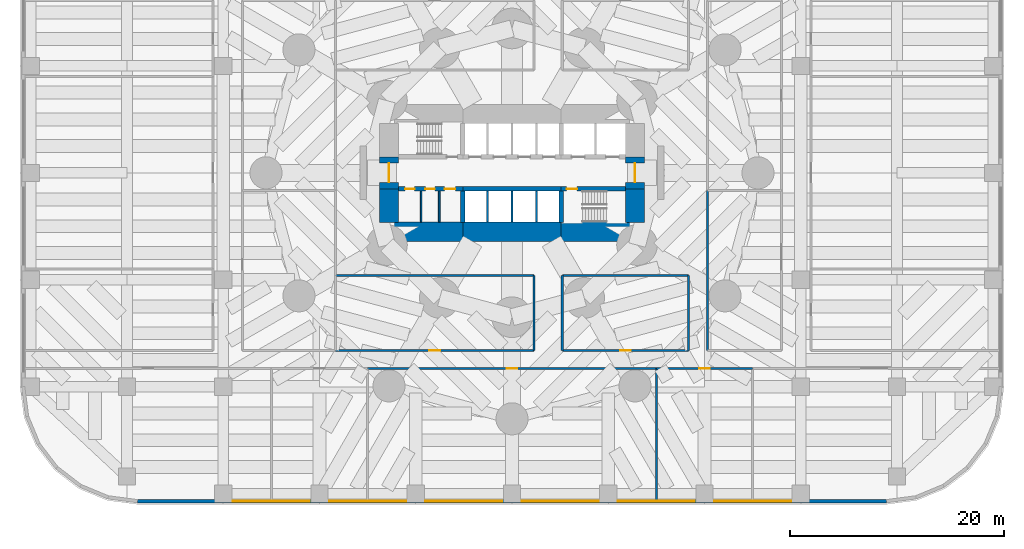
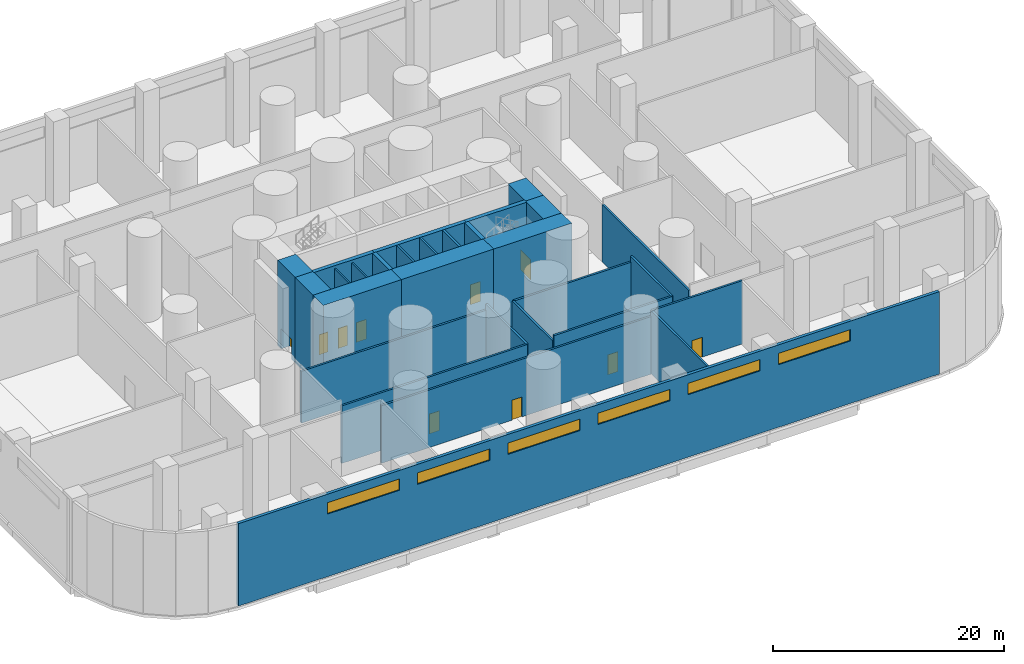
# One storey, part 8 of 13: 29 walls, 10 doors, 6 windows, 16 openings.
"""IFC4 building model written with IfcOpenShell, lengths in metres."""

from ifc_helpers import new_model, si_unit, direction, frame, frame_2d, origin, place, context, subcontext, project, spatial, rectangle, extrude, material, layer, layer_set, type_object, element, fill, save


model = new_model("IFC4")

# Units and contexts
model_context = context("Model", 3, precision=1e-05, world=origin(), true_north=direction((0.0, 1.0)))
body_context = subcontext(model_context, "Body", "Model", "MODEL_VIEW")
ifc_project = project(units=[si_unit("LENGTHUNIT", "METRE"), si_unit("AREAUNIT", "SQUARE_METRE"), si_unit("VOLUMEUNIT", "CUBIC_METRE"), si_unit("PLANEANGLEUNIT", "RADIAN"), si_unit("MASSUNIT", "GRAM", prefix="KILO")], contexts=[model_context])

# Site, building, storey
site_placement = place(None, origin())
site = spatial("IfcSite", under=ifc_project, at=site_placement, CompositionType="ELEMENT")
building_placement = place(site_placement, origin())
building = spatial("IfcBuilding", under=site, at=building_placement, Name="Qaws Media Tower", CompositionType="ELEMENT")
storey_placement = place(building_placement, frame((0.0, 0.0, 6.0)))
storey = spatial("IfcBuildingStorey", under=building, at=storey_placement, Name="L01", CompositionType="ELEMENT", Elevation=6.0)

# Wall, openings, doors
ifc_material_1 = material(Name="Concrete C60/75", Category="concrete")
ifc_layer_1 = layer(ifc_material_1, 0.39990234375)
ifc_layer_set_1 = layer_set([ifc_layer_1], Name="Core inner wall 400")
wall_type_1 = type_object("IfcWallType", Name="Core inner wall 400", PredefinedType="SHEAR", material=ifc_layer_set_1)
wall_1_placement = place(storey_placement, frame((49.3798828125, 48.5, 0.0), z_axis=(0.0, 0.0, 1.0), x_axis=(1.0, 0.0, 0.0)))
wall_1 = element("IfcWall", 1, at=wall_1_placement, inside=storey, type_object=wall_type_1, Name="W310 SW4 core wall SPSW L01", PredefinedType="SHEAR", context=body_context, shape_type="SweptSolid", body=[
    extrude(rectangle(XDim=6.02001953125, YDim=0.39990234375, at=frame_2d((3.010009765625, 0.0))), origin(), (0.0, 0.0, 1.0), 9.0),
])
opening_1_placement = place(wall_1_placement, frame((0.6201171875, 0.0, 0.0)))
opening_1 = element("IfcOpeningElement", 2, at=opening_1_placement, cuts=wall_1, Name="Opening D3", PredefinedType="OPENING", context=body_context, shape_type="SweptSolid", body=[
    extrude(rectangle(XDim=0.89990234375, YDim=2.10009765625, at=frame_2d((0.449951171875, 1.050048828125))), frame((0.0, 0.2099609375, 0.0), z_axis=(0.0, -1.0, 0.0), x_axis=(1.0, 0.0, 0.0)), (0.0, 0.0, 1.0), 0.419921875),
])
opening_2_placement = place(wall_1_placement, frame((2.52001953125, 0.0, 0.0)))
opening_2 = element("IfcOpeningElement", 3, at=opening_2_placement, cuts=wall_1, Name="Opening D3", PredefinedType="OPENING", context=body_context, shape_type="SweptSolid", body=[
    extrude(rectangle(XDim=0.89990234375, YDim=2.10009765625, at=frame_2d((0.449951171875, 1.050048828125))), frame((0.0, 0.2099609375, 0.0), z_axis=(0.0, -1.0, 0.0), x_axis=(1.0, 0.0, 0.0)), (0.0, 0.0, 1.0), 0.419921875),
])
opening_3_placement = place(wall_1_placement, frame((4.320068359375, 0.0, 0.0)))
opening_3 = element("IfcOpeningElement", 4, at=opening_3_placement, cuts=wall_1, Name="Opening D4", PredefinedType="OPENING", context=body_context, shape_type="SweptSolid", body=[
    extrude(rectangle(XDim=1.0, YDim=2.10009765625, at=frame_2d((0.5, 1.050048828125))), frame((0.0, 0.2099609375, 0.0), z_axis=(0.0, -1.0, 0.0), x_axis=(1.0, 0.0, 0.0)), (0.0, 0.0, 1.0), 0.419921875),
])
ifc_material_2 = material(Name="Timber veneered", Category="wood")
door_type_1 = type_object("IfcDoorType", Name="Accessible WC door 1000", OperationType="SLIDING_TO_LEFT", PredefinedType="DOOR", material=ifc_material_2)
door_1_placement = place(opening_3_placement, origin())
door_1 = element("IfcDoor", 5, at=door_1_placement, inside=storey, type_object=door_type_1, Name="D4 toilet door 3 L01 in wall W310", OperationType="SLIDING_TO_LEFT", OverallHeight=2.10009765625, OverallWidth=1.0, PredefinedType="DOOR", context=body_context, shape_type="SweptSolid", body=[
    extrude(rectangle(XDim=1.0, YDim=2.10009765625, at=frame_2d((0.5, 1.050048828125))), frame((0.0, 0.02490234375, 0.0), z_axis=(0.0, -1.0, 0.0), x_axis=(1.0, 0.0, 0.0)), (0.0, 0.0, 1.0), 0.050048828125),
])
fill(opening_3, door_1)
ifc_material_3 = material(Name="Timber veneered", Category="wood")
door_type_2 = type_object("IfcDoorType", Name="Toilet door 900", OperationType="SINGLE_SWING_RIGHT", PredefinedType="DOOR", material=ifc_material_3)
door_2_placement = place(opening_1_placement, origin())
door_2 = element("IfcDoor", 6, at=door_2_placement, inside=storey, type_object=door_type_2, Name="D3 toilet door 1 L01 in wall W310", OperationType="SINGLE_SWING_RIGHT", OverallHeight=2.10009765625, OverallWidth=0.89990234375, PredefinedType="DOOR", context=body_context, shape_type="SweptSolid", body=[
    extrude(rectangle(XDim=0.89990234375, YDim=2.10009765625, at=frame_2d((0.449951171875, 1.050048828125))), frame((0.0, 0.02490234375, 0.0), z_axis=(0.0, -1.0, 0.0), x_axis=(1.0, 0.0, 0.0)), (0.0, 0.0, 1.0), 0.050048828125),
])
fill(opening_1, door_2)
door_3_placement = place(opening_2_placement, origin())
door_3 = element("IfcDoor", 7, at=door_3_placement, inside=storey, type_object=door_type_2, Name="D3 toilet door 2 L01 in wall W310", OperationType="SINGLE_SWING_RIGHT", OverallHeight=2.10009765625, OverallWidth=0.89990234375, PredefinedType="DOOR", context=body_context, shape_type="SweptSolid", body=[
    extrude(rectangle(XDim=0.89990234375, YDim=2.10009765625, at=frame_2d((0.449951171875, 1.050048828125))), frame((0.0, 0.02490234375, 0.0), z_axis=(0.0, -1.0, 0.0), x_axis=(1.0, 0.0, 0.0)), (0.0, 0.0, 1.0), 0.050048828125),
])
fill(opening_2, door_3)

# Wall
wall_2_placement = place(storey_placement, frame((55.39990234375, 48.5, 0.0), z_axis=(0.0, 0.0, 1.0), x_axis=(1.0, 0.0, 0.0)))
element("IfcWall", 8, at=wall_2_placement, inside=storey, type_object=wall_type_1, Name="W313 SW4 core wall SPS L01", PredefinedType="SHEAR", context=body_context, shape_type="SweptSolid", body=[
    extrude(rectangle(XDim=9.2001953125, YDim=0.39990234375, at=frame_2d((4.60009765625, 0.0))), origin(), (0.0, 0.0, 1.0), 9.0),
])

# Wall, opening, door
wall_3_placement = place(storey_placement, frame((64.60009765625, 48.5, 0.0), z_axis=(0.0, 0.0, 1.0), x_axis=(1.0, 0.0, 0.0)))
wall_3 = element("IfcWall", 9, at=wall_3_placement, inside=storey, type_object=wall_type_1, Name="W317 SW4 core wall SPSE L01", PredefinedType="SHEAR", context=body_context, shape_type="SweptSolid", body=[
    extrude(rectangle(XDim=6.02001953125, YDim=0.39990234375, at=frame_2d((3.010009765625, 0.0))), origin(), (0.0, 0.0, 1.0), 9.0),
])
opening_4_placement = place(wall_3_placement, frame((0.5, 0.0, 0.0)))
opening_4 = element("IfcOpeningElement", 10, at=opening_4_placement, cuts=wall_3, Name="Opening D1", PredefinedType="OPENING", context=body_context, shape_type="SweptSolid", body=[
    extrude(rectangle(XDim=1.0, YDim=2.10009765625, at=frame_2d((0.5, 1.050048828125))), frame((0.0, 0.2099609375, 0.0), z_axis=(0.0, -1.0, 0.0), x_axis=(1.0, 0.0, 0.0)), (0.0, 0.0, 1.0), 0.419921875),
])
ifc_material_4 = material(Name="Steel, fire rated", Category="steel")
door_type_3 = type_object("IfcDoorType", Name="Stair door 1000 FD120", OperationType="SINGLE_SWING_LEFT", PredefinedType="DOOR", material=ifc_material_4)
door_4_placement = place(opening_4_placement, origin())
door_4 = element("IfcDoor", 11, at=door_4_placement, inside=storey, type_object=door_type_3, Name="D1 stair S2 door L01 in wall W317", OperationType="SINGLE_SWING_LEFT", OverallHeight=2.10009765625, OverallWidth=1.0, PredefinedType="DOOR", context=body_context, shape_type="SweptSolid", body=[
    extrude(rectangle(XDim=1.0, YDim=2.10009765625, at=frame_2d((0.5, 1.050048828125))), frame((0.0, 0.02490234375, 0.0), z_axis=(0.0, -1.0, 0.0), x_axis=(1.0, 0.0, 0.0)), (0.0, 0.0, 1.0), 0.050048828125),
])
fill(opening_4, door_4)

# Walls
for number, where, z_axis, x_axis, name in (
    (12, (55.39990234375, 48.320068359375, 0.0), (0.0, 0.0, 1.0), (0.0, -1.0, 0.0), "W312 SW4 core wall XSW L01"),
    (13, (64.60009765625, 48.320068359375, 0.0), (0.0, 0.0, 1.0), (0.0, -1.0, 0.0), "W316 SW4 core wall XSE L01"),
):
    element("IfcWall", number, at=place(storey_placement, frame(where, z_axis=z_axis, x_axis=x_axis)), inside=storey, type_object=wall_type_1, Name=name, PredefinedType="SHEAR", context=body_context, shape_type="SweptSolid", body=[
        extrude(rectangle(XDim=2.940185546875, YDim=0.39990234375, at=frame_2d((1.47021484375, 0.0))), origin(), (0.0, 0.0, 1.0), 9.0),
    ])
ifc_material_5 = material(Name="Concrete C60/75", Category="concrete")
ifc_layer_2 = layer(ifc_material_5, 1.800048828125)
ifc_layer_set_2 = layer_set([ifc_layer_2], Name="Core wall 1800")
wall_type_2 = type_object("IfcWallType", Name="Core wall 1800", PredefinedType="SHEAR", material=ifc_layer_set_2)
wall_4_placement = place(storey_placement, frame((47.60009765625, 44.5, 0.0), z_axis=(0.0, 0.0, 1.0), x_axis=(1.0, 0.0, 0.0)))
element("IfcWall", 14, at=wall_4_placement, inside=storey, type_object=wall_type_2, Name="W398 SW11 core wall SW L01", PredefinedType="SHEAR", context=body_context, shape_type="SweptSolid", body=[
    extrude(rectangle(XDim=7.7998046875, YDim=1.800048828125, at=frame_2d((3.89990234375, 0.0))), origin(), (0.0, 0.0, 1.0), 9.0),
])
wall_5_placement = place(storey_placement, frame((55.39990234375, 44.5, 0.0), z_axis=(0.0, 0.0, 1.0), x_axis=(1.0, 0.0, 0.0)))
element("IfcWall", 15, at=wall_5_placement, inside=storey, type_object=wall_type_2, Name="W403 SW11 core wall S L01", PredefinedType="SHEAR", context=body_context, shape_type="SweptSolid", body=[
    extrude(rectangle(XDim=9.2001953125, YDim=1.800048828125, at=frame_2d((4.60009765625, 0.0))), origin(), (0.0, 0.0, 1.0), 9.0),
])
wall_6_placement = place(storey_placement, frame((64.60009765625, 44.5, 0.0), z_axis=(0.0, 0.0, 1.0), x_axis=(1.0, 0.0, 0.0)))
element("IfcWall", 16, at=wall_6_placement, inside=storey, type_object=wall_type_2, Name="W405 SW11 core wall SE L01", PredefinedType="SHEAR", context=body_context, shape_type="SweptSolid", body=[
    extrude(rectangle(XDim=7.7998046875, YDim=1.800048828125, at=frame_2d((3.89990234375, 0.0))), origin(), (0.0, 0.0, 1.0), 9.0),
])
wall_7_placement = place(storey_placement, frame((71.5, 45.3798828125, 0.0), z_axis=(0.0, 0.0, 1.0), x_axis=(0.0, 1.0, 0.0)))
element("IfcWall", 17, at=wall_7_placement, inside=storey, type_object=wall_type_2, Name="W407 SW11 core wall ES L01", PredefinedType="SHEAR", context=body_context, shape_type="SweptSolid", body=[
    extrude(rectangle(XDim=3.1201171875, YDim=1.800048828125, at=frame_2d((1.56005859375, 0.0))), origin(), (0.0, 0.0, 1.0), 9.0),
])

# Wall, opening, door
wall_8_placement = place(storey_placement, frame((71.5, 48.5, 0.0), z_axis=(0.0, 0.0, 1.0), x_axis=(0.0, 1.0, 0.0)))
wall_8 = element("IfcWall", 18, at=wall_8_placement, inside=storey, type_object=wall_type_2, Name="W408 SW11 core wall E L01", PredefinedType="SHEAR", context=body_context, shape_type="SweptSolid", body=[
    extrude(rectangle(XDim=3.0, YDim=1.800048828125, at=frame_2d((1.5, 0.0))), origin(), (0.0, 0.0, 1.0), 9.0),
])
opening_5_placement = place(wall_8_placement, frame((0.60009765625, 0.0, 0.0)))
opening_5 = element("IfcOpeningElement", 19, at=opening_5_placement, cuts=wall_8, Name="Opening D2", PredefinedType="OPENING", context=body_context, shape_type="SweptSolid", body=[
    extrude(rectangle(XDim=1.800048828125, YDim=2.10009765625, at=frame_2d((0.89990234375, 1.050048828125))), frame((0.0, 0.909912109375, 0.0), z_axis=(0.0, -1.0, 0.0), x_axis=(1.0, 0.0, 0.0)), (0.0, 0.0, 1.0), 1.820068359375),
])
ifc_material_6 = material(Name="Steel and glass, fire rated", Category="steel")
door_type_4 = type_object("IfcDoorType", Name="Lobby door pair 1800 FD60", OperationType="DOUBLE_DOOR_DOUBLE_SWING", PredefinedType="DOOR", material=ifc_material_6)
door_5_placement = place(opening_5_placement, origin())
door_5 = element("IfcDoor", 20, at=door_5_placement, inside=storey, type_object=door_type_4, Name="D2 core lobby door E L01 in wall W408", OperationType="DOUBLE_DOOR_DOUBLE_SWING", OverallHeight=2.10009765625, OverallWidth=1.800048828125, PredefinedType="DOOR", context=body_context, shape_type="SweptSolid", body=[
    extrude(rectangle(XDim=1.800048828125, YDim=2.10009765625, at=frame_2d((0.89990234375, 1.050048828125))), frame((0.0, 0.02490234375, 0.0), z_axis=(0.0, -1.0, 0.0), x_axis=(1.0, 0.0, 0.0)), (0.0, 0.0, 1.0), 0.050048828125),
])
fill(opening_5, door_5)

# Wall
wall_9_placement = place(storey_placement, frame((48.5, 45.3798828125, 0.0), z_axis=(0.0, 0.0, 1.0), x_axis=(0.0, 1.0, 0.0)))
element("IfcWall", 21, at=wall_9_placement, inside=storey, type_object=wall_type_2, Name="W400 SW11 core wall WS L01", PredefinedType="SHEAR", context=body_context, shape_type="SweptSolid", body=[
    extrude(rectangle(XDim=3.1201171875, YDim=1.800048828125, at=frame_2d((1.56005859375, 0.0))), origin(), (0.0, 0.0, 1.0), 9.0),
])

# Wall, opening, door
wall_10_placement = place(storey_placement, frame((48.5, 48.5, 0.0), z_axis=(0.0, 0.0, 1.0), x_axis=(0.0, 1.0, 0.0)))
wall_10 = element("IfcWall", 22, at=wall_10_placement, inside=storey, type_object=wall_type_2, Name="W401 SW11 core wall W L01", PredefinedType="SHEAR", context=body_context, shape_type="SweptSolid", body=[
    extrude(rectangle(XDim=3.0, YDim=1.800048828125, at=frame_2d((1.5, 0.0))), origin(), (0.0, 0.0, 1.0), 9.0),
])
opening_6_placement = place(wall_10_placement, frame((0.60009765625, 0.0, 0.0)))
opening_6 = element("IfcOpeningElement", 23, at=opening_6_placement, cuts=wall_10, Name="Opening D2", PredefinedType="OPENING", context=body_context, shape_type="SweptSolid", body=[
    extrude(rectangle(XDim=1.800048828125, YDim=2.10009765625, at=frame_2d((0.89990234375, 1.050048828125))), frame((0.0, 0.909912109375, 0.0), z_axis=(0.0, -1.0, 0.0), x_axis=(1.0, 0.0, 0.0)), (0.0, 0.0, 1.0), 1.820068359375),
])
door_6_placement = place(opening_6_placement, origin())
door_6 = element("IfcDoor", 24, at=door_6_placement, inside=storey, type_object=door_type_4, Name="D2 core lobby door W L01 in wall W401", OperationType="DOUBLE_DOOR_DOUBLE_SWING", OverallHeight=2.10009765625, OverallWidth=1.800048828125, PredefinedType="DOOR", context=body_context, shape_type="SweptSolid", body=[
    extrude(rectangle(XDim=1.800048828125, YDim=2.10009765625, at=frame_2d((0.89990234375, 1.050048828125))), frame((0.0, 0.02490234375, 0.0), z_axis=(0.0, -1.0, 0.0), x_axis=(1.0, 0.0, 0.0)), (0.0, 0.0, 1.0), 0.050048828125),
])
fill(opening_6, door_6)

# Wall, openings, windows
ifc_material_7 = material(Name="Precast concrete, exposed finish", Category="concrete")
ifc_layer_3 = layer(ifc_material_7, 0.300048828125)
ifc_layer_set_3 = layer_set([ifc_layer_3], Name="Podium facade wall 300")
wall_type_3 = type_object("IfcWallType", Name="Podium facade wall 300", PredefinedType="SOLIDWALL", material=ifc_layer_set_3)
wall_11_placement = place(storey_placement, frame((25.0, 19.300048828125, 0.0), z_axis=(0.0, 0.0, 1.0), x_axis=(1.0, 0.0, 0.0)))
wall_11 = element("IfcWall", 25, at=wall_11_placement, inside=storey, type_object=wall_type_3, Name="W794 EW2 podium wall L01-28", PredefinedType="SOLIDWALL", context=body_context, shape_type="SweptSolid", body=[
    extrude(rectangle(XDim=70.0, YDim=0.300048828125, at=frame_2d((35.0, 0.0))), origin(), (0.0, 0.0, 1.0), 8.699951171875),
])
opening_7_placement = place(wall_11_placement, frame((8.89990234375, 0.0, 6.60009765625)))
opening_7 = element("IfcOpeningElement", 26, at=opening_7_placement, cuts=wall_11, Name="Opening W4", PredefinedType="OPENING", context=body_context, shape_type="SweptSolid", body=[
    extrude(rectangle(XDim=7.199951171875, YDim=1.199951171875, at=frame_2d((3.60009765625, 0.60009765625))), frame((0.0, 0.159912109375, 0.0), z_axis=(0.0, -1.0, 0.0), x_axis=(1.0, 0.0, 0.0)), (0.0, 0.0, 1.0), 0.320068359375),
])
opening_8_placement = place(wall_11_placement, frame((17.89990234375, 0.0, 6.60009765625)))
opening_8 = element("IfcOpeningElement", 27, at=opening_8_placement, cuts=wall_11, Name="Opening W4", PredefinedType="OPENING", context=body_context, shape_type="SweptSolid", body=[
    extrude(rectangle(XDim=7.199951171875, YDim=1.199951171875, at=frame_2d((3.60009765625, 0.60009765625))), frame((0.0, 0.159912109375, 0.0), z_axis=(0.0, -1.0, 0.0), x_axis=(1.0, 0.0, 0.0)), (0.0, 0.0, 1.0), 0.320068359375),
])
opening_9_placement = place(wall_11_placement, frame((26.89990234375, 0.0, 6.60009765625)))
opening_9 = element("IfcOpeningElement", 28, at=opening_9_placement, cuts=wall_11, Name="Opening W4", PredefinedType="OPENING", context=body_context, shape_type="SweptSolid", body=[
    extrude(rectangle(XDim=7.199951171875, YDim=1.199951171875, at=frame_2d((3.60009765625, 0.60009765625))), frame((0.0, 0.159912109375, 0.0), z_axis=(0.0, -1.0, 0.0), x_axis=(1.0, 0.0, 0.0)), (0.0, 0.0, 1.0), 0.320068359375),
])
opening_10_placement = place(wall_11_placement, frame((35.89990234375, 0.0, 6.60009765625)))
opening_10 = element("IfcOpeningElement", 29, at=opening_10_placement, cuts=wall_11, Name="Opening W4", PredefinedType="OPENING", context=body_context, shape_type="SweptSolid", body=[
    extrude(rectangle(XDim=7.199951171875, YDim=1.199951171875, at=frame_2d((3.60009765625, 0.60009765625))), frame((0.0, 0.159912109375, 0.0), z_axis=(0.0, -1.0, 0.0), x_axis=(1.0, 0.0, 0.0)), (0.0, 0.0, 1.0), 0.320068359375),
])
opening_11_placement = place(wall_11_placement, frame((44.89990234375, 0.0, 6.60009765625)))
opening_11 = element("IfcOpeningElement", 30, at=opening_11_placement, cuts=wall_11, Name="Opening W4", PredefinedType="OPENING", context=body_context, shape_type="SweptSolid", body=[
    extrude(rectangle(XDim=7.199951171875, YDim=1.199951171875, at=frame_2d((3.60009765625, 0.60009765625))), frame((0.0, 0.159912109375, 0.0), z_axis=(0.0, -1.0, 0.0), x_axis=(1.0, 0.0, 0.0)), (0.0, 0.0, 1.0), 0.320068359375),
])
opening_12_placement = place(wall_11_placement, frame((53.89990234375, 0.0, 6.60009765625)))
opening_12 = element("IfcOpeningElement", 31, at=opening_12_placement, cuts=wall_11, Name="Opening W4", PredefinedType="OPENING", context=body_context, shape_type="SweptSolid", body=[
    extrude(rectangle(XDim=7.199951171875, YDim=1.199951171875, at=frame_2d((3.60009765625, 0.60009765625))), frame((0.0, 0.159912109375, 0.0), z_axis=(0.0, -1.0, 0.0), x_axis=(1.0, 0.0, 0.0)), (0.0, 0.0, 1.0), 0.320068359375),
])
ifc_material_8 = material(Name="Aluminium and clear glass", Category="aluminium")
window_type = type_object("IfcWindowType", Name="Clerestory window 7200x1200", PartitioningType="TRIPLE_PANEL_HORIZONTAL", PredefinedType="WINDOW", material=ifc_material_8)
window_1_placement = place(opening_7_placement, origin())
window_1 = element("IfcWindow", 32, at=window_1_placement, inside=storey, type_object=window_type, Name="W4 window L01 bay 3", OverallHeight=1.199951171875, OverallWidth=7.199951171875, PartitioningType="SINGLE_PANEL", PredefinedType="WINDOW", context=body_context, shape_type="SweptSolid", body=[
    extrude(rectangle(XDim=7.199951171875, YDim=1.199951171875, at=frame_2d((3.60009765625, 0.60009765625))), frame((0.0, 0.030029296875, 0.0), z_axis=(0.0, -1.0, 0.0), x_axis=(1.0, 0.0, 0.0)), (0.0, 0.0, 1.0), 0.06005859375),
])
fill(opening_7, window_1)
window_2_placement = place(opening_8_placement, origin())
window_2 = element("IfcWindow", 33, at=window_2_placement, inside=storey, type_object=window_type, Name="W4 window L01 bay 4", OverallHeight=1.199951171875, OverallWidth=7.199951171875, PartitioningType="SINGLE_PANEL", PredefinedType="WINDOW", context=body_context, shape_type="SweptSolid", body=[
    extrude(rectangle(XDim=7.199951171875, YDim=1.199951171875, at=frame_2d((3.60009765625, 0.60009765625))), frame((0.0, 0.030029296875, 0.0), z_axis=(0.0, -1.0, 0.0), x_axis=(1.0, 0.0, 0.0)), (0.0, 0.0, 1.0), 0.06005859375),
])
fill(opening_8, window_2)
window_3_placement = place(opening_9_placement, origin())
window_3 = element("IfcWindow", 34, at=window_3_placement, inside=storey, type_object=window_type, Name="W4 window L01 bay 5", OverallHeight=1.199951171875, OverallWidth=7.199951171875, PartitioningType="SINGLE_PANEL", PredefinedType="WINDOW", context=body_context, shape_type="SweptSolid", body=[
    extrude(rectangle(XDim=7.199951171875, YDim=1.199951171875, at=frame_2d((3.60009765625, 0.60009765625))), frame((0.0, 0.030029296875, 0.0), z_axis=(0.0, -1.0, 0.0), x_axis=(1.0, 0.0, 0.0)), (0.0, 0.0, 1.0), 0.06005859375),
])
fill(opening_9, window_3)
window_4_placement = place(opening_10_placement, origin())
window_4 = element("IfcWindow", 35, at=window_4_placement, inside=storey, type_object=window_type, Name="W4 window L01 bay 6", OverallHeight=1.199951171875, OverallWidth=7.199951171875, PartitioningType="SINGLE_PANEL", PredefinedType="WINDOW", context=body_context, shape_type="SweptSolid", body=[
    extrude(rectangle(XDim=7.199951171875, YDim=1.199951171875, at=frame_2d((3.60009765625, 0.60009765625))), frame((0.0, 0.030029296875, 0.0), z_axis=(0.0, -1.0, 0.0), x_axis=(1.0, 0.0, 0.0)), (0.0, 0.0, 1.0), 0.06005859375),
])
fill(opening_10, window_4)
window_5_placement = place(opening_11_placement, origin())
window_5 = element("IfcWindow", 36, at=window_5_placement, inside=storey, type_object=window_type, Name="W4 window L01 bay 7", OverallHeight=1.199951171875, OverallWidth=7.199951171875, PartitioningType="SINGLE_PANEL", PredefinedType="WINDOW", context=body_context, shape_type="SweptSolid", body=[
    extrude(rectangle(XDim=7.199951171875, YDim=1.199951171875, at=frame_2d((3.60009765625, 0.60009765625))), frame((0.0, 0.030029296875, 0.0), z_axis=(0.0, -1.0, 0.0), x_axis=(1.0, 0.0, 0.0)), (0.0, 0.0, 1.0), 0.06005859375),
])
fill(opening_11, window_5)
window_6_placement = place(opening_12_placement, origin())
window_6 = element("IfcWindow", 37, at=window_6_placement, inside=storey, type_object=window_type, Name="W4 window L01 bay 8", OverallHeight=1.199951171875, OverallWidth=7.199951171875, PartitioningType="SINGLE_PANEL", PredefinedType="WINDOW", context=body_context, shape_type="SweptSolid", body=[
    extrude(rectangle(XDim=7.199951171875, YDim=1.199951171875, at=frame_2d((3.60009765625, 0.60009765625))), frame((0.0, 0.030029296875, 0.0), z_axis=(0.0, -1.0, 0.0), x_axis=(1.0, 0.0, 0.0)), (0.0, 0.0, 1.0), 0.06005859375),
])
fill(opening_12, window_6)

# Walls
ifc_material_9 = material(Name="Gypsum board on galvanised metal studs, acoustic double stud, deflection head", Category="gypsum")
ifc_layer_4 = layer(ifc_material_9, 0.199951171875)
ifc_layer_set_4 = layer_set([ifc_layer_4], Name="Room partition 200")
wall_type_4 = type_object("IfcWallType", Name="Room partition 200", PredefinedType="PARTITIONING", material=ifc_layer_set_4)
wall_12_placement = place(storey_placement, frame((62.050048828125, 33.39990234375, 0.0), z_axis=(0.0, 0.0, 1.0), x_axis=(0.0, 1.0, 0.0)))
element("IfcWall", 38, at=wall_12_placement, inside=storey, type_object=wall_type_4, Name="W824 IW3 partition L01", PredefinedType="PARTITIONING", context=body_context, shape_type="SweptSolid", body=[
    extrude(rectangle(XDim=7.0, YDim=0.199951171875, at=frame_2d((3.5, 0.0))), origin(), (0.0, 0.0, 1.0), 6.080078125),
])
wall_13_placement = place(storey_placement, frame((64.699951171875, 33.39990234375, 0.0), z_axis=(0.0, 0.0, 1.0), x_axis=(0.0, 1.0, 0.0)))
element("IfcWall", 39, at=wall_13_placement, inside=storey, type_object=wall_type_4, Name="W826 IW3 partition L01", PredefinedType="PARTITIONING", context=body_context, shape_type="SweptSolid", body=[
    extrude(rectangle(XDim=7.0, YDim=0.199951171875, at=frame_2d((3.5, 0.0))), origin(), (0.0, 0.0, 1.0), 5.47998046875),
])
wall_14_placement = place(storey_placement, frame((73.5, 19.455078125, 0.0), z_axis=(0.0, 0.0, 1.0), x_axis=(0.0, 1.0, 0.0)))
element("IfcWall", 40, at=wall_14_placement, inside=storey, type_object=wall_type_4, Name="W906 IW3 partition L01", PredefinedType="PARTITIONING", context=body_context, shape_type="SweptSolid", body=[
    extrude(rectangle(XDim=12.244873046875, YDim=0.199951171875, at=frame_2d((6.12255859375, 0.0))), origin(), (0.0, 0.0, 1.0), 6.679931640625),
])
wall_15_placement = place(storey_placement, frame((76.5, 33.39990234375, 0.0), z_axis=(0.0, 0.0, 1.0), x_axis=(0.0, 1.0, 0.0)))
element("IfcWall", 41, at=wall_15_placement, inside=storey, type_object=wall_type_4, Name="W833 IW3 partition L01", PredefinedType="PARTITIONING", context=body_context, shape_type="SweptSolid", body=[
    extrude(rectangle(XDim=7.0, YDim=0.199951171875, at=frame_2d((3.5, 0.0))), origin(), (0.0, 0.0, 1.0), 6.080078125),
])
wall_16_placement = place(storey_placement, frame((78.27001953125, 33.39990234375, 0.0), z_axis=(0.0, 0.0, 1.0), x_axis=(0.0, 1.0, 0.0)))
element("IfcWall", 42, at=wall_16_placement, inside=storey, type_object=wall_type_4, Name="W907 IW3 partition L01", PredefinedType="PARTITIONING", context=body_context, shape_type="SweptSolid", body=[
    extrude(rectangle(XDim=14.9501953125, YDim=0.199951171875, at=frame_2d((7.47509765625, 0.0))), origin(), (0.0, 0.0, 1.0), 6.080078125),
])

# Wall, opening, door
wall_17_placement = place(storey_placement, frame((46.5, 31.699951171875, 0.0), z_axis=(0.0, 0.0, 1.0), x_axis=(1.0, 0.0, 0.0)))
wall_17 = element("IfcWall", 43, at=wall_17_placement, inside=storey, type_object=wall_type_4, Name="W904 IW3 partition L01", PredefinedType="PARTITIONING", context=body_context, shape_type="SweptSolid", body=[
    extrude(rectangle(XDim=27.0, YDim=0.199951171875, at=frame_2d((13.5, 0.0))), origin(), (0.0, 0.0, 1.0), 6.080078125),
])
opening_13_placement = place(wall_17_placement, frame((13.0, 0.0, 0.0)))
opening_13 = element("IfcOpeningElement", 44, at=opening_13_placement, cuts=wall_17, Name="Opening D5", PredefinedType="OPENING", context=body_context, shape_type="SweptSolid", body=[
    extrude(rectangle(XDim=1.0, YDim=2.10009765625, at=frame_2d((0.5, 1.050048828125))), frame((0.0, 0.10986328125, 0.0), z_axis=(0.0, -1.0, 0.0), x_axis=(1.0, 0.0, 0.0)), (0.0, 0.0, 1.0), 0.219970703125),
])
ifc_material_10 = material(Name="Timber veneered, acoustic seal", Category="wood")
door_type_5 = type_object("IfcDoorType", Name="Room door 1000", OperationType="SINGLE_SWING_LEFT", PredefinedType="DOOR", material=ifc_material_10)
door_7_placement = place(opening_13_placement, origin())
door_7 = element("IfcDoor", 45, at=door_7_placement, inside=storey, type_object=door_type_5, Name="D5 Studio management office door in wall W904", OperationType="SINGLE_SWING_LEFT", OverallHeight=2.10009765625, OverallWidth=1.0, PredefinedType="DOOR", context=body_context, shape_type="SweptSolid", body=[
    extrude(rectangle(XDim=1.0, YDim=2.10009765625, at=frame_2d((0.5, 1.050048828125))), frame((0.0, 0.02490234375, 0.0), z_axis=(0.0, -1.0, 0.0), x_axis=(1.0, 0.0, 0.0)), (0.0, 0.0, 1.0), 0.050048828125),
])
fill(opening_13, door_7)

wall_18_placement = place(storey_placement, frame((73.5, 31.699951171875, 0.0), z_axis=(0.0, 0.0, 1.0), x_axis=(1.0, 0.0, 0.0)))
wall_18 = element("IfcWall", 46, at=wall_18_placement, inside=storey, type_object=wall_type_4, Name="W872 IW3 partition L01", PredefinedType="PARTITIONING", context=body_context, shape_type="SweptSolid", body=[
    extrude(rectangle(XDim=9.0, YDim=0.199951171875, at=frame_2d((4.5, 0.0))), origin(), (0.0, 0.0, 1.0), 6.679931640625),
])
opening_14_placement = place(wall_18_placement, frame((4.0, 0.0, 0.0)))
opening_14 = element("IfcOpeningElement", 47, at=opening_14_placement, cuts=wall_18, Name="Opening D5", PredefinedType="OPENING", context=body_context, shape_type="SweptSolid", body=[
    extrude(rectangle(XDim=1.0, YDim=2.10009765625, at=frame_2d((0.5, 1.050048828125))), frame((0.0, 0.10986328125, 0.0), z_axis=(0.0, -1.0, 0.0), x_axis=(1.0, 0.0, 0.0)), (0.0, 0.0, 1.0), 0.219970703125),
])
door_8_placement = place(opening_14_placement, origin())
door_8 = element("IfcDoor", 48, at=door_8_placement, inside=storey, type_object=door_type_5, Name="D5 Costume workroom door in wall W872", OperationType="SINGLE_SWING_LEFT", OverallHeight=2.10009765625, OverallWidth=1.0, PredefinedType="DOOR", context=body_context, shape_type="SweptSolid", body=[
    extrude(rectangle(XDim=1.0, YDim=2.10009765625, at=frame_2d((0.5, 1.050048828125))), frame((0.0, 0.02490234375, 0.0), z_axis=(0.0, -1.0, 0.0), x_axis=(1.0, 0.0, 0.0)), (0.0, 0.0, 1.0), 0.050048828125),
])
fill(opening_14, door_8)

wall_19_placement = place(storey_placement, frame((43.5, 33.39990234375, 0.0), z_axis=(0.0, 0.0, 1.0), x_axis=(1.0, 0.0, 0.0)))
wall_19 = element("IfcWall", 49, at=wall_19_placement, inside=storey, type_object=wall_type_4, Name="W818 IW3 partition L01", PredefinedType="PARTITIONING", context=body_context, shape_type="SweptSolid", body=[
    extrude(rectangle(XDim=18.550048828125, YDim=0.199951171875, at=frame_2d((9.27490234375, 0.0))), origin(), (0.0, 0.0, 1.0), 6.080078125),
])
opening_15_placement = place(wall_19_placement, frame((8.77490234375, 0.0, 0.0)))
opening_15 = element("IfcOpeningElement", 50, at=opening_15_placement, cuts=wall_19, Name="Opening D5", PredefinedType="OPENING", context=body_context, shape_type="SweptSolid", body=[
    extrude(rectangle(XDim=1.0, YDim=2.10009765625, at=frame_2d((0.5, 1.050048828125))), frame((0.0, 0.10986328125, 0.0), z_axis=(0.0, -1.0, 0.0), x_axis=(1.0, 0.0, 0.0)), (0.0, 0.0, 1.0), 0.219970703125),
])
door_9_placement = place(opening_15_placement, origin())
door_9 = element("IfcDoor", 51, at=door_9_placement, inside=storey, type_object=door_type_5, Name="D5 Production office door in wall W818", OperationType="SINGLE_SWING_LEFT", OverallHeight=2.10009765625, OverallWidth=1.0, PredefinedType="DOOR", context=body_context, shape_type="SweptSolid", body=[
    extrude(rectangle(XDim=1.0, YDim=2.10009765625, at=frame_2d((0.5, 1.050048828125))), frame((0.0, 0.02490234375, 0.0), z_axis=(0.0, -1.0, 0.0), x_axis=(1.0, 0.0, 0.0)), (0.0, 0.0, 1.0), 0.050048828125),
])
fill(opening_15, door_9)

wall_20_placement = place(storey_placement, frame((64.699951171875, 33.39990234375, 0.0), z_axis=(0.0, 0.0, 1.0), x_axis=(1.0, 0.0, 0.0)))
wall_20 = element("IfcWall", 52, at=wall_20_placement, inside=storey, type_object=wall_type_4, Name="W827 IW3 partition L01", PredefinedType="PARTITIONING", context=body_context, shape_type="SweptSolid", body=[
    extrude(rectangle(XDim=11.800048828125, YDim=0.199951171875, at=frame_2d((5.89990234375, 0.0))), origin(), (0.0, 0.0, 1.0), 6.080078125),
])
opening_16_placement = place(wall_20_placement, frame((5.39990234375, 0.0, 0.0)))
opening_16 = element("IfcOpeningElement", 53, at=opening_16_placement, cuts=wall_20, Name="Opening D5", PredefinedType="OPENING", context=body_context, shape_type="SweptSolid", body=[
    extrude(rectangle(XDim=1.0, YDim=2.10009765625, at=frame_2d((0.5, 1.050048828125))), frame((0.0, 0.10986328125, 0.0), z_axis=(0.0, -1.0, 0.0), x_axis=(1.0, 0.0, 0.0)), (0.0, 0.0, 1.0), 0.219970703125),
])
door_10_placement = place(opening_16_placement, origin())
door_10 = element("IfcDoor", 54, at=door_10_placement, inside=storey, type_object=door_type_5, Name="D5 Studio support office door in wall W827", OperationType="SINGLE_SWING_LEFT", OverallHeight=2.10009765625, OverallWidth=1.0, PredefinedType="DOOR", context=body_context, shape_type="SweptSolid", body=[
    extrude(rectangle(XDim=1.0, YDim=2.10009765625, at=frame_2d((0.5, 1.050048828125))), frame((0.0, 0.02490234375, 0.0), z_axis=(0.0, -1.0, 0.0), x_axis=(1.0, 0.0, 0.0)), (0.0, 0.0, 1.0), 0.050048828125),
])
fill(opening_16, door_10)

# Walls
wall_21_placement = place(storey_placement, frame((43.5, 40.39990234375, 0.0), z_axis=(0.0, 0.0, 1.0), x_axis=(1.0, 0.0, 0.0)))
element("IfcWall", 55, at=wall_21_placement, inside=storey, type_object=wall_type_4, Name="W820 IW3 partition L01", PredefinedType="PARTITIONING", context=body_context, shape_type="SweptSolid", body=[
    extrude(rectangle(XDim=18.550048828125, YDim=0.199951171875, at=frame_2d((9.27490234375, 0.0))), origin(), (0.0, 0.0, 1.0), 5.47998046875),
])
wall_22_placement = place(storey_placement, frame((64.699951171875, 40.39990234375, 0.0), z_axis=(0.0, 0.0, 1.0), x_axis=(1.0, 0.0, 0.0)))
element("IfcWall", 56, at=wall_22_placement, inside=storey, type_object=wall_type_4, Name="W828 IW3 partition L01", PredefinedType="PARTITIONING", context=body_context, shape_type="SweptSolid", body=[
    extrude(rectangle(XDim=11.800048828125, YDim=0.199951171875, at=frame_2d((5.89990234375, 0.0))), origin(), (0.0, 0.0, 1.0), 5.47998046875),
])
ifc_material_11 = material(Name="Fire-rated gypsum board shaft wall on galvanised metal studs, deflection head", Category="gypsum")
ifc_layer_5 = layer(ifc_material_11, 0.199951171875)
ifc_layer_set_5 = layer_set([ifc_layer_5], Name="Shaft wall 200")
wall_type_5 = type_object("IfcWallType", Name="Shaft wall 200", PredefinedType="PARTITIONING", material=ifc_layer_set_5)
for number, where, z_axis, x_axis, name in (
    (57, (57.699951171875, 45.39990234375, 0.0), (0.0, 0.0, 1.0), (0.0, 1.0, 0.0), "W1835 IW1 shaft wall S1 L01"),
    (58, (60.0, 45.39990234375, 0.0), (0.0, 0.0, 1.0), (0.0, 1.0, 0.0), "W1837 IW1 shaft wall S2 L01"),
    (59, (62.300048828125, 45.39990234375, 0.0), (0.0, 0.0, 1.0), (0.0, 1.0, 0.0), "W1839 IW1 shaft wall S3 L01"),
):
    element("IfcWall", number, at=place(storey_placement, frame(where, z_axis=z_axis, x_axis=x_axis)), inside=storey, type_object=wall_type_5, Name=name, PredefinedType="PARTITIONING", context=body_context, shape_type="SweptSolid", body=[
        extrude(rectangle(XDim=2.900146484375, YDim=0.199951171875, at=frame_2d((1.4501953125, 0.0))), origin(), (0.0, 0.0, 1.0), 9.0),
    ])
ifc_material_12 = material(Name="Gypsum board on galvanised metal studs, deflection head", Category="gypsum")
ifc_layer_6 = layer(ifc_material_12, 0.14990234375)
ifc_layer_set_6 = layer_set([ifc_layer_6], Name="WC partition 150")
wall_type_6 = type_object("IfcWallType", Name="WC partition 150", PredefinedType="PARTITIONING", material=ifc_layer_set_6)
for number, where, z_axis, x_axis, name in (
    (60, (51.5, 45.39990234375, 0.0), (0.0, 0.0, 1.0), (0.0, 1.0, 0.0), "W1898 IW2 toilet partition 1 L01"),
    (61, (53.199951171875, 45.39990234375, 0.0), (0.0, 0.0, 1.0), (0.0, 1.0, 0.0), "W1899 IW2 toilet partition 2 L01"),
):
    element("IfcWall", number, at=place(storey_placement, frame(where, z_axis=z_axis, x_axis=x_axis)), inside=storey, type_object=wall_type_6, Name=name, PredefinedType="PARTITIONING", context=body_context, shape_type="SweptSolid", body=[
        extrude(rectangle(XDim=2.900146484375, YDim=0.14990234375, at=frame_2d((1.4501953125, 0.0))), origin(), (0.0, 0.0, 1.0), 8.699951171875),
    ])

save(model, "model.ifc")
